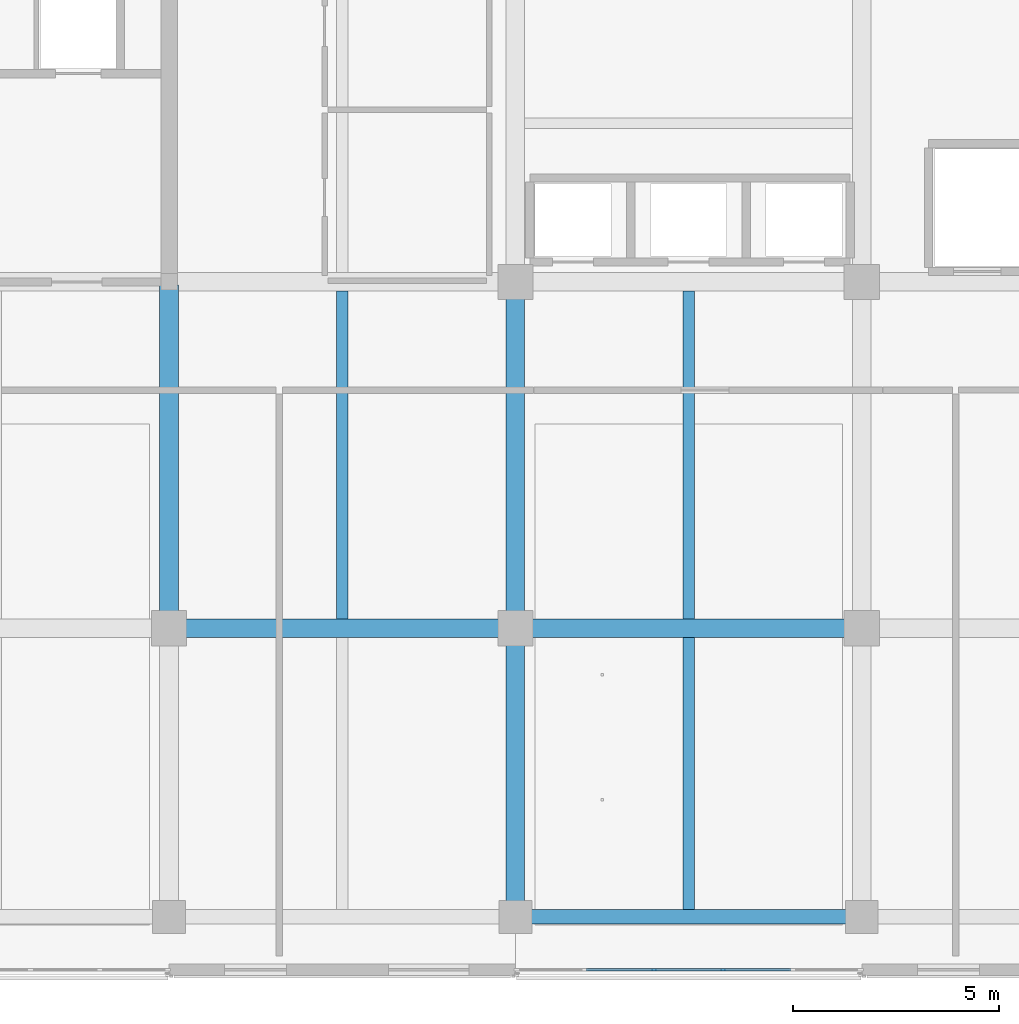
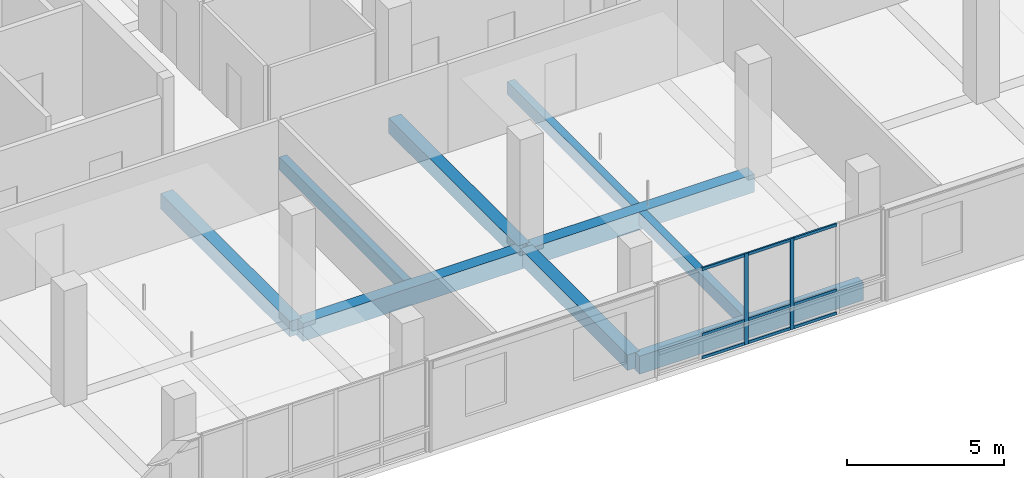
# One storey, part 3 of 36: 11 members, 9 beams, 1 element without a shape of its own.
"""IFC4 building model written with IfcOpenShell, lengths in metres."""

from ifc_helpers import new_model, si_unit, direction, frame, origin, origin_2d, place, context, subcontext, project, spatial, rectangle, extrude, material, layer, layer_set, material_profile, profile_set, type_object, element, aggregate, save


model = new_model("IFC4")

# Units and contexts
model_context = context("Model", 3, precision=1e-05, world=origin(), true_north=direction((0.0, 1.0)))
body_context = subcontext(model_context, "Body", "Model", "MODEL_VIEW")
ifc_project = project(units=[si_unit("LENGTHUNIT", "METRE"), si_unit("AREAUNIT", "SQUARE_METRE"), si_unit("VOLUMEUNIT", "CUBIC_METRE"), si_unit("PLANEANGLEUNIT", "RADIAN"), si_unit("MASSUNIT", "GRAM", prefix="KILO")], contexts=[model_context])

# Site, building, storey
site_placement = place(None, origin())
site = spatial("IfcSite", under=ifc_project, at=site_placement, CompositionType="ELEMENT")
building_placement = place(site_placement, origin())
building = spatial("IfcBuilding", under=site, at=building_placement, Name="Telukmera Botanical Conservatory", CompositionType="ELEMENT")
storey_placement = place(building_placement, frame((0.0, 0.0, 33.0)))
storey = spatial("IfcBuildingStorey", under=building, at=storey_placement, Name="L07", CompositionType="ELEMENT", Elevation=33.0)

# Beams
ifc_material_1 = material(Name="Concrete C40/50", Category="concrete")
ifc_material_profile_1 = material_profile(ifc_material_1, rectangle(XDim=0.449951171875, YDim=0.699951171875, at=origin_2d()), Name="RC 450x700")
ifc_profile_set_1 = profile_set([ifc_material_profile_1], Name="Concrete C40/50")
beam_type_1 = type_object("IfcBeamType", Name="Beam_B15", PredefinedType="BEAM", material=ifc_profile_set_1)
for number, where, z_axis, x_axis, name in (
    (1, (67.280029296875, 17.60009765625, -0.35009765625), (1.0, 0.0, 0.0), (0.0, 1.0, 0.0), "Tower Grid Beam L07"),
    (2, (75.679931640625, 17.60009765625, -0.35009765625), (1.0, 0.0, 0.0), (0.0, 1.0, 0.0), "Tower Grid Beam L07"),
):
    element("IfcBeam", number, at=place(storey_placement, frame(where, z_axis=z_axis, x_axis=x_axis)), inside=storey, type_object=beam_type_1, Name=name, PredefinedType="BEAM", context=body_context, shape_type="SweptSolid", body=[
        extrude(rectangle(XDim=0.449951171875, YDim=0.699951171875, at=origin_2d()), origin(), (0.0, 0.0, 1.0), 8.239990234375),
    ])
ifc_material_profile_2 = material_profile(ifc_material_1, rectangle(XDim=0.449951171875, YDim=0.60009765625, at=origin_2d()), Name="RC 450x600")
ifc_profile_set_2 = profile_set([ifc_material_profile_2], Name="Concrete C40/50")
beam_type_2 = type_object("IfcBeamType", Name="Beam_B17", PredefinedType="BEAM", material=ifc_profile_set_2)
beam_1_placement = place(storey_placement, frame((67.199951171875, 17.679931640625, -0.300048828125), z_axis=(0.0, 1.0, 0.0), x_axis=(-1.0, 0.0, 0.0)))
element("IfcBeam", 3, at=beam_1_placement, inside=storey, type_object=beam_type_2, Name="Tower Transverse Beam L07", PredefinedType="BEAM", context=body_context, shape_type="SweptSolid", body=[
    extrude(rectangle(XDim=0.449951171875, YDim=0.60009765625, at=origin_2d()), origin(), (0.0, 0.0, 1.0), 8.239990234375),
])
beam_2_placement = place(storey_placement, frame((75.60009765625, 10.679931640625, -0.300048828125), z_axis=(0.0, 1.0, 0.0), x_axis=(-1.0, 0.0, 0.0)))
element("IfcBeam", 4, at=beam_2_placement, inside=storey, type_object=beam_type_2, Name="Tower Transverse Beam L07", PredefinedType="BEAM", context=body_context, shape_type="SweptSolid", body=[
    extrude(rectangle(XDim=0.449951171875, YDim=0.60009765625, at=origin_2d()), origin(), (0.0, 0.0, 1.0), 6.840087890625),
])
beam_3_placement = place(storey_placement, frame((75.60009765625, 17.679931640625, -0.300048828125), z_axis=(0.0, 1.0, 0.0), x_axis=(-1.0, 0.0, 0.0)))
element("IfcBeam", 5, at=beam_3_placement, inside=storey, type_object=beam_type_2, Name="Tower Transverse Beam L07", PredefinedType="BEAM", context=body_context, shape_type="SweptSolid", body=[
    extrude(rectangle(XDim=0.449951171875, YDim=0.60009765625, at=origin_2d()), origin(), (0.0, 0.0, 1.0), 8.239990234375),
])
ifc_material_profile_3 = material_profile(ifc_material_1, rectangle(XDim=0.280029296875, YDim=0.5, at=origin_2d()), Name="RC 280x500")
ifc_profile_set_3 = profile_set([ifc_material_profile_3], Name="Concrete C40/50")
beam_type_3 = type_object("IfcBeamType", Name="Beam_B26", PredefinedType="JOIST", material=ifc_profile_set_3)
beam_4_placement = place(storey_placement, frame((71.39990234375, 17.824951171875, -0.25), z_axis=(0.0, 1.0, 0.0), x_axis=(-1.0, 0.0, 0.0)))
element("IfcBeam", 6, at=beam_4_placement, inside=storey, type_object=beam_type_3, Name="Tower Secondary Floor Joist L07", PredefinedType="JOIST", context=body_context, shape_type="SweptSolid", body=[
    extrude(rectangle(XDim=0.280029296875, YDim=0.5, at=origin_2d()), origin(), (0.0, 0.0, 1.0), 7.949951171875),
])
beam_5_placement = place(storey_placement, frame((79.800048828125, 10.77490234375, -0.25), z_axis=(0.0, 1.0, 0.0), x_axis=(-1.0, 0.0, 0.0)))
element("IfcBeam", 7, at=beam_5_placement, inside=storey, type_object=beam_type_3, Name="Tower Secondary Floor Joist L07", PredefinedType="JOIST", context=body_context, shape_type="SweptSolid", body=[
    extrude(rectangle(XDim=0.280029296875, YDim=0.5, at=origin_2d()), origin(), (0.0, 0.0, 1.0), 6.60009765625),
])
beam_6_placement = place(storey_placement, frame((79.800048828125, 17.824951171875, -0.25), z_axis=(0.0, 1.0, 0.0), x_axis=(-1.0, 0.0, 0.0)))
element("IfcBeam", 8, at=beam_6_placement, inside=storey, type_object=beam_type_3, Name="Tower Secondary Floor Joist L07", PredefinedType="JOIST", context=body_context, shape_type="SweptSolid", body=[
    extrude(rectangle(XDim=0.280029296875, YDim=0.5, at=origin_2d()), origin(), (0.0, 0.0, 1.0), 7.949951171875),
])
ifc_material_2 = material(Name="Precast concrete C40/50", Category="concrete")
ifc_material_profile_4 = material_profile(ifc_material_2, rectangle(XDim=0.35009765625, YDim=0.699951171875, at=origin_2d()), Name="PC 350x700")
ifc_profile_set_4 = profile_set([ifc_material_profile_4], Name="Precast concrete C40/50")
beam_type_4 = type_object("IfcBeamType", Name="Beam_SP2", PredefinedType="SPANDREL", material=ifc_profile_set_4)
beam_7_placement = place(storey_placement, frame((75.679931640625, 10.60009765625, -0.35009765625), z_axis=(1.0, 0.0, 0.0), x_axis=(0.0, 1.0, 0.0)))
element("IfcBeam", 9, at=beam_7_placement, inside=storey, type_object=beam_type_4, Name="Tower Grid Beam L07", PredefinedType="SPANDREL", context=body_context, shape_type="SweptSolid", body=[
    extrude(rectangle(XDim=0.35009765625, YDim=0.699951171875, at=origin_2d()), origin(), (0.0, 0.0, 1.0), 8.239990234375),
])

# Curtain wall, members
ifc_material_3 = material(Name="Anodised aluminium 6063-T6", Category="aluminium")
ifc_layer = layer(ifc_material_3, 0.179931640625)
ifc_layer_set = layer_set([ifc_layer], Name="Anodised aluminium 6063-T6")
curtain_wall_type = type_object("IfcCurtainWallType", Name="Tower Research Laboratory Unitised Curtain Wall", PredefinedType="USERDEFINED", material=ifc_layer_set)
curtain_wall_placement = place(storey_placement, origin())
curtain_wall = element("IfcCurtainWall", 10, at=curtain_wall_placement, inside=storey, type_object=curtain_wall_type, Name="Unitised Curtain Wall CW15 V4:L07:S4", ObjectType="UNITISED CURTAIN WALL", PredefinedType="USERDEFINED")
ifc_material_profile_5 = material_profile(ifc_material_3, rectangle(XDim=0.06005859375, YDim=0.139892578125, at=origin_2d()), Name="ALU MULL 60x140")
ifc_profile_set_5 = profile_set([ifc_material_profile_5], Name="Anodised aluminium 6063-T6")
member_type_1 = type_object("IfcMemberType", Name="Curtain Wall Extruded Mullion 60x140", PredefinedType="MULLION", material=ifc_profile_set_5)
member_1_placement = place(storey_placement, frame((78.96044921875, 9.320068359375, 0.0), z_axis=(0.0, 0.0, 1.0), x_axis=(0.0, 1.0, 0.0)))
member_1 = element("IfcMember", 11, at=member_1_placement, type_object=member_type_1, Name="CW15 mullion 3", PredefinedType="MULLION", context=body_context, shape_type="SweptSolid", body=[
    extrude(rectangle(XDim=0.06005859375, YDim=0.139892578125, at=origin_2d()), origin(), (0.0, 0.0, 1.0), 3.550048828125),
])
member_2_placement = place(storey_placement, frame((80.6396484375, 9.320068359375, 0.0), z_axis=(0.0, 0.0, 1.0), x_axis=(0.0, 1.0, 0.0)))
member_2 = element("IfcMember", 12, at=member_2_placement, type_object=member_type_1, Name="CW15 mullion 4", PredefinedType="MULLION", context=body_context, shape_type="SweptSolid", body=[
    extrude(rectangle(XDim=0.06005859375, YDim=0.139892578125, at=origin_2d()), origin(), (0.0, 0.0, 1.0), 3.550048828125),
])
ifc_material_profile_6 = material_profile(ifc_material_3, rectangle(XDim=0.06005859375, YDim=0.110107421875, at=origin_2d()), Name="ALU TRAN 60x110")
ifc_profile_set_6 = profile_set([ifc_material_profile_6], Name="Anodised aluminium 6063-T6")
member_type_2 = type_object("IfcMemberType", Name="Curtain Wall Extruded Transom 60x110", PredefinedType="USERDEFINED", material=ifc_profile_set_6)
member_3_placement = place(storey_placement, frame((77.311279296875, 9.320068359375, 0.054931640625), z_axis=(1.0, 0.0, 0.0), x_axis=(0.0, 1.0, 0.0)))
member_3 = element("IfcMember", 13, at=member_3_placement, type_object=member_type_2, Name="CW15 transom 2.1", ObjectType="TRANSOM", PredefinedType="USERDEFINED", context=body_context, shape_type="SweptSolid", body=[
    extrude(rectangle(XDim=0.06005859375, YDim=0.110107421875, at=origin_2d()), origin(), (0.0, 0.0, 1.0), 1.619140625),
])
member_4_placement = place(storey_placement, frame((77.311279296875, 9.320068359375, 0.949951171875), z_axis=(1.0, 0.0, 0.0), x_axis=(0.0, 1.0, 0.0)))
member_4 = element("IfcMember", 14, at=member_4_placement, type_object=member_type_2, Name="CW15 transom 2.2", ObjectType="TRANSOM", PredefinedType="USERDEFINED", context=body_context, shape_type="SweptSolid", body=[
    extrude(rectangle(XDim=0.06005859375, YDim=0.110107421875, at=origin_2d()), origin(), (0.0, 0.0, 1.0), 1.619140625),
])
member_5_placement = place(storey_placement, frame((77.311279296875, 9.320068359375, 3.4951171875), z_axis=(1.0, 0.0, 0.0), x_axis=(0.0, 1.0, 0.0)))
member_5 = element("IfcMember", 15, at=member_5_placement, type_object=member_type_2, Name="CW15 transom 2.3", ObjectType="TRANSOM", PredefinedType="USERDEFINED", context=body_context, shape_type="SweptSolid", body=[
    extrude(rectangle(XDim=0.06005859375, YDim=0.110107421875, at=origin_2d()), origin(), (0.0, 0.0, 1.0), 1.619140625),
])
member_6_placement = place(storey_placement, frame((78.990478515625, 9.320068359375, 0.054931640625), z_axis=(1.0, 0.0, 0.0), x_axis=(0.0, 1.0, 0.0)))
member_6 = element("IfcMember", 16, at=member_6_placement, type_object=member_type_2, Name="CW15 transom 3.1", ObjectType="TRANSOM", PredefinedType="USERDEFINED", context=body_context, shape_type="SweptSolid", body=[
    extrude(rectangle(XDim=0.06005859375, YDim=0.110107421875, at=origin_2d()), origin(), (0.0, 0.0, 1.0), 1.619140625),
])
member_7_placement = place(storey_placement, frame((78.990478515625, 9.320068359375, 0.949951171875), z_axis=(1.0, 0.0, 0.0), x_axis=(0.0, 1.0, 0.0)))
member_7 = element("IfcMember", 17, at=member_7_placement, type_object=member_type_2, Name="CW15 transom 3.2", ObjectType="TRANSOM", PredefinedType="USERDEFINED", context=body_context, shape_type="SweptSolid", body=[
    extrude(rectangle(XDim=0.06005859375, YDim=0.110107421875, at=origin_2d()), origin(), (0.0, 0.0, 1.0), 1.619140625),
])
member_8_placement = place(storey_placement, frame((78.990478515625, 9.320068359375, 3.4951171875), z_axis=(1.0, 0.0, 0.0), x_axis=(0.0, 1.0, 0.0)))
member_8 = element("IfcMember", 18, at=member_8_placement, type_object=member_type_2, Name="CW15 transom 3.3", ObjectType="TRANSOM", PredefinedType="USERDEFINED", context=body_context, shape_type="SweptSolid", body=[
    extrude(rectangle(XDim=0.06005859375, YDim=0.110107421875, at=origin_2d()), origin(), (0.0, 0.0, 1.0), 1.619140625),
])
member_9_placement = place(storey_placement, frame((80.669677734375, 9.320068359375, 0.054931640625), z_axis=(1.0, 0.0, 0.0), x_axis=(0.0, 1.0, 0.0)))
member_9 = element("IfcMember", 19, at=member_9_placement, type_object=member_type_2, Name="CW15 transom 4.1", ObjectType="TRANSOM", PredefinedType="USERDEFINED", context=body_context, shape_type="SweptSolid", body=[
    extrude(rectangle(XDim=0.06005859375, YDim=0.110107421875, at=origin_2d()), origin(), (0.0, 0.0, 1.0), 1.619140625),
])
member_10_placement = place(storey_placement, frame((80.669677734375, 9.320068359375, 0.949951171875), z_axis=(1.0, 0.0, 0.0), x_axis=(0.0, 1.0, 0.0)))
member_10 = element("IfcMember", 20, at=member_10_placement, type_object=member_type_2, Name="CW15 transom 4.2", ObjectType="TRANSOM", PredefinedType="USERDEFINED", context=body_context, shape_type="SweptSolid", body=[
    extrude(rectangle(XDim=0.06005859375, YDim=0.110107421875, at=origin_2d()), origin(), (0.0, 0.0, 1.0), 1.619140625),
])
member_11_placement = place(storey_placement, frame((80.669677734375, 9.320068359375, 3.4951171875), z_axis=(1.0, 0.0, 0.0), x_axis=(0.0, 1.0, 0.0)))
member_11 = element("IfcMember", 21, at=member_11_placement, type_object=member_type_2, Name="CW15 transom 4.3", ObjectType="TRANSOM", PredefinedType="USERDEFINED", context=body_context, shape_type="SweptSolid", body=[
    extrude(rectangle(XDim=0.06005859375, YDim=0.110107421875, at=origin_2d()), origin(), (0.0, 0.0, 1.0), 1.619140625),
])
aggregate(curtain_wall, [member_1, member_2, member_3, member_4, member_5, member_6, member_7, member_8, member_9, member_10, member_11])

save(model, "model.ifc")
